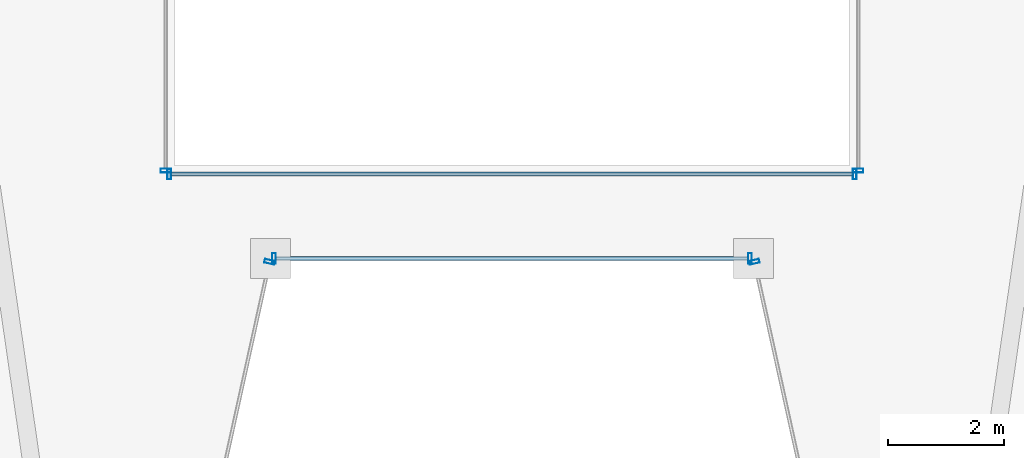
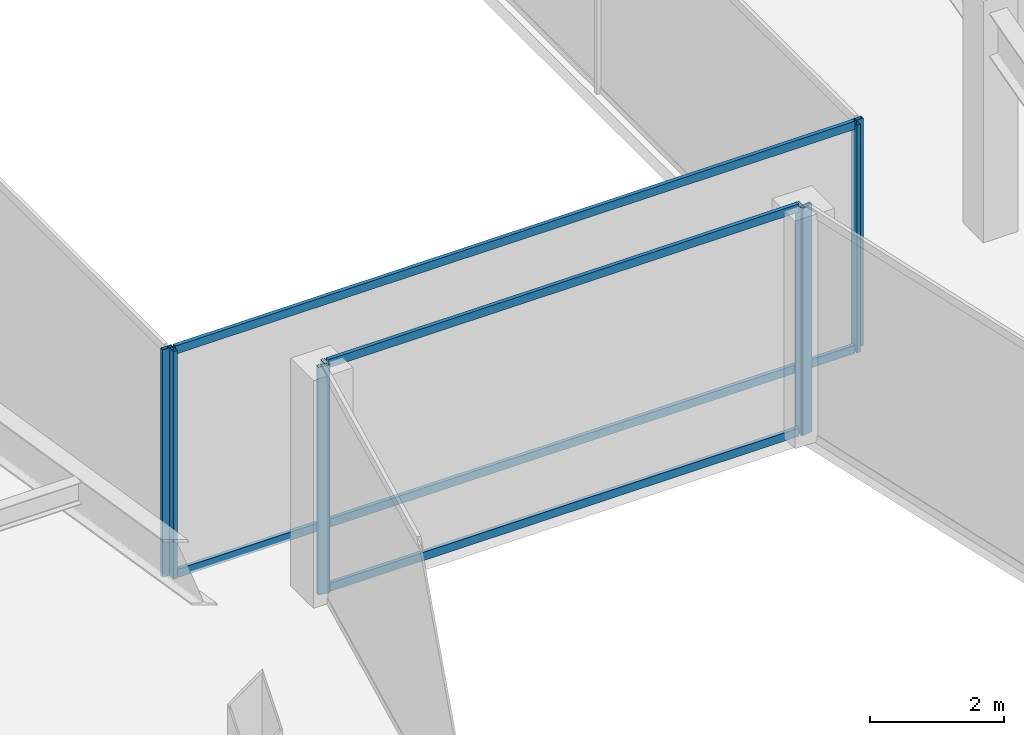
# One storey, part 7 of 37: 12 members, 6 elements without a shape of their own.
"""IFC4 building model written with IfcOpenShell, lengths in metres."""

import ifcopenshell
import ifcopenshell.guid

model = None  # the IFC model being written
_history = None  # IfcOwnerHistory: only IFC2X3 demands one
_inside = {}  # id of a spatial element -> (the spatial element, [elements in it])
_under = {}  # id of a project, library or spatial element -> (it, [spatial elements below it])
_declared = {}  # id of a project -> (the project, [libraries it declares])
_typed = {}  # id of a type object -> (the type object, [elements of that type])
_made_of = {}  # id of a material, layer set ... -> (it, [elements and type objects made of it])


def new_model(schema):
    """Start an empty IFC model of exactly this schema.

    Asked for "IFC4X3", IfcOpenShell would pick the latest addendum, in which some entities
    have other attributes; the version numbers below select the first issue.
    IFC2X3 requires an IfcOwnerHistory on every rooted entity: one is made here for all.
    """
    global model, _history
    if schema == "IFC4X3":
        model = ifcopenshell.file(schema_version=(4, 3, 0, 0))
    else:
        model = ifcopenshell.file(schema=schema)
    _inside.clear()
    _under.clear()
    _declared.clear()
    _typed.clear()
    _made_of.clear()
    _history = None
    if model.schema == "IFC2X3":
        org = make("IfcOrganization", Name="unknown")
        user = make(
            "IfcPersonAndOrganization",
            ThePerson=make("IfcPerson", FamilyName="unknown"),
            TheOrganization=org,
        )
        app = make(
            "IfcApplication",
            ApplicationDeveloper=org,
            Version="unknown",
            ApplicationFullName="unknown",
            ApplicationIdentifier="unknown",
        )
        _history = make(
            "IfcOwnerHistory",
            OwningUser=user,
            OwningApplication=app,
            ChangeAction="ADDED",
            CreationDate=0,
        )
    return model


def make(cls, **values):
    """One entity of the class cls with the attributes given. An attribute that is None is left unset."""
    return model.create_entity(
        cls, **{name: value for name, value in values.items() if value is not None}
    )


def rooted(cls, **values):
    """An entity with a GlobalId (a new one), such as an element, a storey or a relation."""
    return make(cls, GlobalId=ifcopenshell.guid.new(), OwnerHistory=_history, **values)


def si_unit(unit_type, name, prefix=None):
    """IfcSIUnit, for example si_unit("LENGTHUNIT", "METRE", prefix="MILLI")."""
    return make("IfcSIUnit", UnitType=unit_type, Prefix=prefix, Name=name)


def assignment(units):
    """IfcUnitAssignment: the units of a project."""
    return None if units is None else make("IfcUnitAssignment", Units=units)


def point(xyz):
    """IfcCartesianPoint."""
    return None if xyz is None else make("IfcCartesianPoint", Coordinates=xyz)


def direction(xyz):
    """IfcDirection."""
    return None if xyz is None else make("IfcDirection", DirectionRatios=xyz)


def frame(location, z_axis=None, x_axis=None):
    """IfcAxis2Placement3D, a coordinate frame: its origin and axes. An axis left out is left unset."""
    return make(
        "IfcAxis2Placement3D",
        Location=point(location),
        Axis=direction(z_axis),
        RefDirection=direction(x_axis),
    )


def frame_2d(location, x_axis=None):
    """IfcAxis2Placement2D, a coordinate frame in the plane: its origin and x axis."""
    return make(
        "IfcAxis2Placement2D", Location=point(location), RefDirection=direction(x_axis)
    )


def origin():
    """The frame at (0, 0, 0) with its axes left unset."""
    return frame((0.0, 0.0, 0.0))


def origin_2d():
    """The frame at (0, 0) in the plane with its x axis left unset."""
    return frame_2d((0.0, 0.0))


def place(relative_to, where):
    """IfcLocalPlacement: puts the frame where relative to a parent placement (None: the world)."""
    return make(
        "IfcLocalPlacement", PlacementRelTo=relative_to, RelativePlacement=where
    )


def context(
    kind, dimensions, precision=None, world=None, true_north=None, identifier=None
):
    """IfcGeometricRepresentationContext, for example the 3D "Model" context."""
    return make(
        "IfcGeometricRepresentationContext",
        ContextIdentifier=identifier,
        ContextType=kind,
        CoordinateSpaceDimension=dimensions,
        Precision=precision,
        WorldCoordinateSystem=world,
        TrueNorth=true_north,
    )


def subcontext(parent, identifier, kind, view, scale=None):
    """IfcGeometricRepresentationSubContext, for example "Body" below "Model"."""
    return make(
        "IfcGeometricRepresentationSubContext",
        ContextIdentifier=identifier,
        ContextType=kind,
        ParentContext=parent,
        TargetScale=scale,
        TargetView=view,
    )


def project(units=None, contexts=None):
    """IfcProject with its units and contexts."""
    return rooted(
        "IfcProject",
        Name="project",
        RepresentationContexts=contexts,
        UnitsInContext=assignment(units),
    )


def spatial(cls, under=None, at=None, **own):
    """A site, building, storey or space (cls), placed at a placement, below another one or the project."""
    s = rooted(cls, ObjectPlacement=at, **own)
    if under is not None:
        _under.setdefault(under.id(), (under, []))[1].append(s)
    return s


def profile(cls, at=None, kind="AREA", **sizes):
    """A parametric profile (cls). Its sizes go by their IFC names, for example OverallWidth=200.0."""
    return make(cls, ProfileType=kind, Position=at, **sizes)


def hollow_rectangle(**sizes):
    """IfcRectangleHollowProfileDef."""
    return profile("IfcRectangleHollowProfileDef", **sizes)


def extrude(swept, where, along, depth):
    """IfcExtrudedAreaSolid: the profile swept, set in the frame where, extruded along a direction by depth."""
    return make(
        "IfcExtrudedAreaSolid",
        SweptArea=swept,
        Position=where,
        ExtrudedDirection=direction(along),
        Depth=depth,
    )


def shape(context_of_items, identifier, shape_type, items):
    """IfcShapeRepresentation: the items that make up one representation, for example the "Body"."""
    return make(
        "IfcShapeRepresentation",
        ContextOfItems=context_of_items,
        RepresentationIdentifier=identifier,
        RepresentationType=shape_type,
        Items=items,
    )


def material(Name=None, Category=None):
    """IfcMaterial."""
    return make("IfcMaterial", Name=Name, Category=Category)


def material_profile(
    of_material, cross_section, Name=None, Category=None, Priority=None
):
    """IfcMaterialProfile: a cross section and its material."""
    return make(
        "IfcMaterialProfile",
        Name=Name,
        Material=of_material,
        Profile=cross_section,
        Priority=Priority,
        Category=Category,
    )


def profile_set(profiles, Name=None, composite=None):
    """IfcMaterialProfileSet."""
    return make(
        "IfcMaterialProfileSet",
        Name=Name,
        MaterialProfiles=profiles,
        CompositeProfile=composite,
    )


def made_of(thing, what):
    """Note that an element or type object is made of a material, layer set ...; save() writes the relation."""
    if what is not None:
        _made_of.setdefault(what.id(), (what, []))[1].append(thing)
    return thing


def type_object(cls, material=None, **own):
    """A type object (cls), such as IfcWallType, which elements share."""
    return made_of(rooted(cls, **own), material)


def element(
    cls,
    number,
    at=None,
    inside=None,
    cuts=None,
    type_object=None,
    material=None,
    context=None,
    identifier="Body",
    shape_type=None,
    held_by="IfcProductDefinitionShape",
    body=None,
    shapes=None,
    **own,
):
    """One element of the class cls, such as IfcWall. Its Tag is "e" and its number.

    at: its placement. inside: the storey or other place that contains it. cuts: it is an
    opening in that element (IfcRelVoidsElement). A single representation is given by context,
    identifier, shape_type and body (its items); several are given by shapes. held_by: the class
    of the entity that holds the representations. save() writes the other relations.
    """
    e = rooted(cls, Tag="e%d" % number, ObjectPlacement=at, **own)
    if body is not None:
        shapes = [shape(context, identifier, shape_type, body)]
    if shapes is not None:
        e.Representation = make(held_by, Representations=shapes)
    if inside is not None:
        _inside.setdefault(inside.id(), (inside, []))[1].append(e)
    if cuts is not None:
        rooted(
            "IfcRelVoidsElement", RelatingBuildingElement=cuts, RelatedOpeningElement=e
        )
    if type_object is not None:
        _typed.setdefault(type_object.id(), (type_object, []))[1].append(e)
    return made_of(e, material)


def aggregate(whole, parts):
    """IfcRelAggregates: a whole, such as a stair, and the parts it consists of."""
    return rooted("IfcRelAggregates", RelatingObject=whole, RelatedObjects=parts)


def save(model, path):
    """Write the relations noted so far, then the file.

    IfcRelAggregates (storeys below a building ...), IfcRelContainedInSpatialStructure (elements
    in a storey), IfcRelDefinesByType, IfcRelAssociatesMaterial and IfcRelDeclares: one each for
    every whole, place, type object, material and project.
    """
    for whole, parts in _under.values():
        aggregate(whole, parts)
    for where, things in _inside.values():
        rooted(
            "IfcRelContainedInSpatialStructure",
            RelatedElements=things,
            RelatingStructure=where,
        )
    for kind, things in _typed.values():
        rooted("IfcRelDefinesByType", RelatedObjects=things, RelatingType=kind)
    for what, things in _made_of.values():
        rooted("IfcRelAssociatesMaterial", RelatedObjects=things, RelatingMaterial=what)
    for by, libraries in _declared.values():
        rooted("IfcRelDeclares", RelatingContext=by, RelatedDefinitions=libraries)
    model.write(path)


model = new_model("IFC4")

# Units and contexts
model_context = context("Model", 3, precision=1e-05, world=origin(), true_north=direction((0.0, 1.0)))
body_context = subcontext(model_context, "Body", "Model", "MODEL_VIEW")
ifc_project = project(units=[si_unit("LENGTHUNIT", "METRE"), si_unit("AREAUNIT", "SQUARE_METRE"), si_unit("VOLUMEUNIT", "CUBIC_METRE"), si_unit("PLANEANGLEUNIT", "RADIAN"), si_unit("MASSUNIT", "GRAM", prefix="KILO")], contexts=[model_context])

# Site, building, storey
site_placement = place(None, origin())
site = spatial("IfcSite", under=ifc_project, at=site_placement, CompositionType="ELEMENT")
building_placement = place(site_placement, origin())
building = spatial("IfcBuilding", under=site, at=building_placement, Name="Saevonmaru Cultural Tower", CompositionType="ELEMENT")
storey_placement = place(building_placement, frame((0.0, 0.0, 106.0)))
storey = spatial("IfcBuildingStorey", under=building, at=storey_placement, Name="L22", CompositionType="ELEMENT", Elevation=106.0)

# Curtain wall, member
ifc_material = material(Name="Satin Bronze Anodised Aluminium", Category="aluminium")
curtain_wall_type_1 = type_object("IfcCurtainWallType", Name="CW-TYP-A", PredefinedType="NOTDEFINED", material=ifc_material)
curtain_wall_1_placement = place(storey_placement, origin())
curtain_wall_1 = element("IfcCurtainWall", 1, at=curtain_wall_1_placement, inside=storey, type_object=curtain_wall_type_1, Name="L22 Unitised Curtain Wall E3", PredefinedType="NOTDEFINED")
ifc_material_profile_1 = material_profile(ifc_material, hollow_rectangle(XDim=0.06494140625, YDim=0.179931640625, WallThickness=0.00390625, at=origin_2d()), Name="ALU-MULL-180x65x4")
ifc_profile_set_1 = profile_set([ifc_material_profile_1], Name="Satin Bronze Anodised Aluminium")
member_type_1 = type_object("IfcMemberType", Name="ML-CW-180x65", PredefinedType="MULLION", material=ifc_profile_set_1)
member_1_placement = place(storey_placement, frame((25.8359375, 20.741455078125, 0.0), z_axis=(0.0, 0.0, 1.0), x_axis=(0.215413319953, 0.976522965212, 0.0)))
member_1 = element("IfcMember", 2, at=member_1_placement, type_object=member_type_1, Name="CW-TW-L22-E3 mullion 2", PredefinedType="MULLION", context=body_context, shape_type="SweptSolid", body=[
    extrude(hollow_rectangle(XDim=0.06494140625, YDim=0.179931640625, WallThickness=0.00390625, at=origin_2d()), origin(), (0.0, 0.0, 1.0), 4.14990234375),
])
aggregate(curtain_wall_1, [member_1])

# Curtain wall, members
curtain_wall_2_placement = place(storey_placement, origin())
curtain_wall_2 = element("IfcCurtainWall", 3, at=curtain_wall_2_placement, inside=storey, type_object=curtain_wall_type_1, Name="L22 Unitised Curtain Wall E4", PredefinedType="NOTDEFINED")
member_2_placement = place(storey_placement, frame((25.908935546875, 20.800048828125, 0.0), z_axis=(0.0, 0.0, 1.0), x_axis=(1.0, 0.0, 0.0)))
member_2 = element("IfcMember", 4, at=member_2_placement, type_object=member_type_1, Name="CW-TW-L22-E4 mullion 1", PredefinedType="MULLION", context=body_context, shape_type="SweptSolid", body=[
    extrude(hollow_rectangle(XDim=0.06494140625, YDim=0.179931640625, WallThickness=0.00390625, at=origin_2d()), origin(), (0.0, 0.0, 1.0), 4.14990234375),
])
member_3_placement = place(storey_placement, frame((34.091064453125, 20.800048828125, 0.0), z_axis=(0.0, 0.0, 1.0), x_axis=(1.0, 0.0, 0.0)))
member_3 = element("IfcMember", 5, at=member_3_placement, type_object=member_type_1, Name="CW-TW-L22-E4 mullion 2", PredefinedType="MULLION", context=body_context, shape_type="SweptSolid", body=[
    extrude(hollow_rectangle(XDim=0.06494140625, YDim=0.179931640625, WallThickness=0.00390625, at=origin_2d()), origin(), (0.0, 0.0, 1.0), 4.14990234375),
])

# Curtain wall, member
curtain_wall_3_placement = place(storey_placement, origin())
curtain_wall_3 = element("IfcCurtainWall", 6, at=curtain_wall_3_placement, inside=storey, type_object=curtain_wall_type_1, Name="L22 Unitised Curtain Wall E5", PredefinedType="NOTDEFINED")
member_4_placement = place(storey_placement, frame((34.1640625, 20.741455078125, 0.0), z_axis=(0.0, 0.0, 1.0), x_axis=(0.215413319953, -0.976522965212, 0.0)))
member_4 = element("IfcMember", 7, at=member_4_placement, type_object=member_type_1, Name="CW-TW-L22-E5 mullion 1", PredefinedType="MULLION", context=body_context, shape_type="SweptSolid", body=[
    extrude(hollow_rectangle(XDim=0.06494140625, YDim=0.179931640625, WallThickness=0.00390625, at=origin_2d()), origin(), (0.0, 0.0, 1.0), 4.14990234375),
])
aggregate(curtain_wall_3, [member_4])

# Curtain wall, members
curtain_wall_type_2 = type_object("IfcCurtainWallType", Name="CW-ATR-GLZ", PredefinedType="NOTDEFINED", material=ifc_material)
curtain_wall_4_placement = place(storey_placement, origin())
curtain_wall_4 = element("IfcCurtainWall", 8, at=curtain_wall_4_placement, inside=storey, type_object=curtain_wall_type_2, Name="L22 Vertical Atrium Glazed Smoke Screen 1", PredefinedType="NOTDEFINED")
ifc_material_profile_2 = material_profile(ifc_material, hollow_rectangle(XDim=0.06494140625, YDim=0.179931640625, WallThickness=0.00390625, at=origin_2d()), Name="ALU-MULL-180x65x4")
ifc_profile_set_2 = profile_set([ifc_material_profile_2], Name="Satin Bronze Anodised Aluminium")
member_type_2 = type_object("IfcMemberType", Name="ML-CW-INT-180x65", PredefinedType="MULLION", material=ifc_profile_set_2)
member_5_placement = place(storey_placement, frame((24.110107421875, 22.25, 0.0), z_axis=(0.0, 0.0, 1.0), x_axis=(1.0, 0.0, 0.0)))
member_5 = element("IfcMember", 9, at=member_5_placement, type_object=member_type_2, Name="CW-ATR-L22-1 mullion 1", PredefinedType="MULLION", context=body_context, shape_type="SweptSolid", body=[
    extrude(hollow_rectangle(XDim=0.06494140625, YDim=0.179931640625, WallThickness=0.00390625, at=origin_2d()), origin(), (0.0, 0.0, 1.0), 4.14990234375),
])
member_6_placement = place(storey_placement, frame((35.889892578125, 22.25, 0.0), z_axis=(0.0, 0.0, 1.0), x_axis=(1.0, 0.0, 0.0)))
member_6 = element("IfcMember", 10, at=member_6_placement, type_object=member_type_2, Name="CW-ATR-L22-1 mullion 2", PredefinedType="MULLION", context=body_context, shape_type="SweptSolid", body=[
    extrude(hollow_rectangle(XDim=0.06494140625, YDim=0.179931640625, WallThickness=0.00390625, at=origin_2d()), origin(), (0.0, 0.0, 1.0), 4.14990234375),
])

# Curtain wall, member
curtain_wall_5_placement = place(storey_placement, origin())
curtain_wall_5 = element("IfcCurtainWall", 11, at=curtain_wall_5_placement, inside=storey, type_object=curtain_wall_type_2, Name="L22 Vertical Atrium Glazed Smoke Screen 2", PredefinedType="NOTDEFINED")
member_7_placement = place(storey_placement, frame((35.949951171875, 22.31005859375, 0.0), z_axis=(0.0, 0.0, 1.0), x_axis=(0.0, 1.0, 0.0)))
member_7 = element("IfcMember", 12, at=member_7_placement, type_object=member_type_2, Name="CW-ATR-L22-2 mullion 1", PredefinedType="MULLION", context=body_context, shape_type="SweptSolid", body=[
    extrude(hollow_rectangle(XDim=0.06494140625, YDim=0.179931640625, WallThickness=0.00390625, at=origin_2d()), origin(), (0.0, 0.0, 1.0), 4.14990234375),
])
aggregate(curtain_wall_5, [member_7])

curtain_wall_6_placement = place(storey_placement, origin())
curtain_wall_6 = element("IfcCurtainWall", 13, at=curtain_wall_6_placement, inside=storey, type_object=curtain_wall_type_2, Name="L22 Vertical Atrium Glazed Smoke Screen 4", PredefinedType="NOTDEFINED")
member_8_placement = place(storey_placement, frame((24.050048828125, 22.31005859375, 0.0), z_axis=(0.0, 0.0, 1.0), x_axis=(0.0, -1.0, 0.0)))
member_8 = element("IfcMember", 14, at=member_8_placement, type_object=member_type_2, Name="CW-ATR-L22-4 mullion 3", PredefinedType="MULLION", context=body_context, shape_type="SweptSolid", body=[
    extrude(hollow_rectangle(XDim=0.06494140625, YDim=0.179931640625, WallThickness=0.00390625, at=origin_2d()), origin(), (0.0, 0.0, 1.0), 4.14990234375),
])
aggregate(curtain_wall_6, [member_8])

# Member
ifc_material_profile_3 = material_profile(ifc_material, hollow_rectangle(XDim=0.06494140625, YDim=0.14990234375, WallThickness=0.00390625, at=origin_2d()), Name="ALU-TRAN-150x65x4")
ifc_profile_set_3 = profile_set([ifc_material_profile_3], Name="Satin Bronze Anodised Aluminium")
member_type_3 = type_object("IfcMemberType", Name="TR-CW-150x65", PredefinedType="USERDEFINED", material=ifc_profile_set_3)
member_9_placement = place(storey_placement, frame((25.94140625, 20.800048828125, 0.032470703125), z_axis=(1.0, 0.0, 0.0), x_axis=(0.0, 1.0, 0.0)))
member_9 = element("IfcMember", 15, at=member_9_placement, type_object=member_type_3, Name="CW-TW-L22-E4 transom 1.1", ObjectType="TRANSOM", PredefinedType="USERDEFINED", context=body_context, shape_type="SweptSolid", body=[
    extrude(hollow_rectangle(XDim=0.06494140625, YDim=0.14990234375, WallThickness=0.00390625, at=origin_2d()), origin(), (0.0, 0.0, 1.0), 8.1171875),
])

member_10_placement = place(storey_placement, frame((25.94140625, 20.800048828125, 4.117431640625), z_axis=(1.0, 0.0, 0.0), x_axis=(0.0, 1.0, 0.0)))
member_10 = element("IfcMember", 16, at=member_10_placement, type_object=member_type_3, Name="CW-TW-L22-E4 transom 1.2", ObjectType="TRANSOM", PredefinedType="USERDEFINED", context=body_context, shape_type="SweptSolid", body=[
    extrude(hollow_rectangle(XDim=0.06494140625, YDim=0.14990234375, WallThickness=0.00390625, at=origin_2d()), origin(), (0.0, 0.0, 1.0), 8.1171875),
])

aggregate(curtain_wall_2, [member_2, member_3, member_9, member_10])

ifc_material_profile_4 = material_profile(ifc_material, hollow_rectangle(XDim=0.06494140625, YDim=0.14990234375, WallThickness=0.00390625, at=origin_2d()), Name="ALU-TRAN-150x65x4")
ifc_profile_set_4 = profile_set([ifc_material_profile_4], Name="Satin Bronze Anodised Aluminium")
member_type_4 = type_object("IfcMemberType", Name="TR-CW-INT-150x65", PredefinedType="USERDEFINED", material=ifc_profile_set_4)
member_11_placement = place(storey_placement, frame((24.142578125, 22.25, 0.032470703125), z_axis=(1.0, 0.0, 0.0), x_axis=(0.0, 1.0, 0.0)))
member_11 = element("IfcMember", 17, at=member_11_placement, type_object=member_type_4, Name="CW-ATR-L22-1 transom 1.1", ObjectType="TRANSOM", PredefinedType="USERDEFINED", context=body_context, shape_type="SweptSolid", body=[
    extrude(hollow_rectangle(XDim=0.06494140625, YDim=0.14990234375, WallThickness=0.00390625, at=origin_2d()), origin(), (0.0, 0.0, 1.0), 11.71484375),
])

member_12_placement = place(storey_placement, frame((24.142578125, 22.25, 4.117431640625), z_axis=(1.0, 0.0, 0.0), x_axis=(0.0, 1.0, 0.0)))
member_12 = element("IfcMember", 18, at=member_12_placement, type_object=member_type_4, Name="CW-ATR-L22-1 transom 1.2", ObjectType="TRANSOM", PredefinedType="USERDEFINED", context=body_context, shape_type="SweptSolid", body=[
    extrude(hollow_rectangle(XDim=0.06494140625, YDim=0.14990234375, WallThickness=0.00390625, at=origin_2d()), origin(), (0.0, 0.0, 1.0), 11.71484375),
])

aggregate(curtain_wall_4, [member_5, member_6, member_11, member_12])

save(model, "model.ifc")
